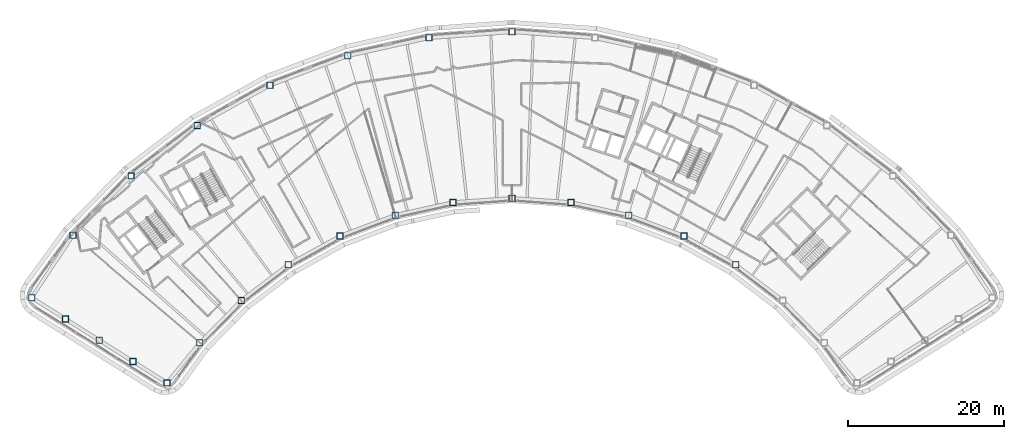
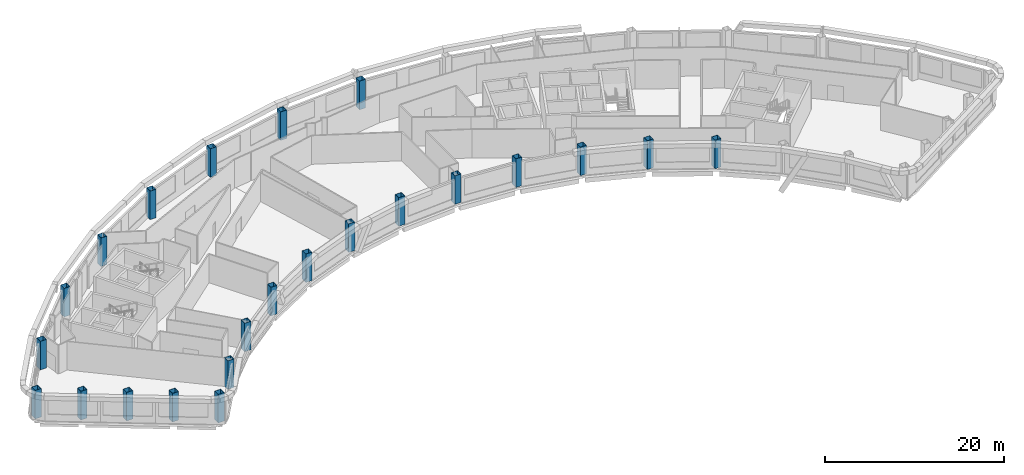
# One storey, part 1 of 13: 23 columns.
"""IFC4 building model written with IfcOpenShell, lengths in metres."""

from ifc_helpers import new_model, si_unit, direction, frame, origin, origin_2d, place, context, subcontext, project, spatial, hollow_rectangle, extrude, material, material_profile, profile_set, type_object, element, save


model = new_model("IFC4")

# Units and contexts
model_context = context("Model", 3, precision=1e-05, world=origin(), true_north=direction((0.0, 1.0)))
body_context = subcontext(model_context, "Body", "Model", "MODEL_VIEW")
ifc_project = project(units=[si_unit("LENGTHUNIT", "METRE"), si_unit("AREAUNIT", "SQUARE_METRE"), si_unit("VOLUMEUNIT", "CUBIC_METRE"), si_unit("PLANEANGLEUNIT", "RADIAN"), si_unit("MASSUNIT", "GRAM", prefix="KILO")], contexts=[model_context])

# Site, building, storey
site_placement = place(None, origin())
site = spatial("IfcSite", under=ifc_project, at=site_placement, CompositionType="ELEMENT")
building_placement = place(site_placement, origin())
building = spatial("IfcBuilding", under=site, at=building_placement, Name="Tuul Gate Civic Tower", CompositionType="ELEMENT")
storey_placement = place(building_placement, frame((0.0, 0.0, 252.60009765625)))
storey = spatial("IfcBuildingStorey", under=building, at=storey_placement, Name="Level 57", CompositionType="ELEMENT", Elevation=252.60009765625)

# Columns
ifc_material = material(Name="Steel S355", Category="steel")
ifc_material_profile = material_profile(ifc_material, hollow_rectangle(XDim=0.800048828125, YDim=0.800048828125, WallThickness=0.031982421875, at=origin_2d()), Name="BOX800x800x32")
ifc_profile_set = profile_set([ifc_material_profile], Name="Steel S355")
column_type = type_object("IfcColumnType", Name="STR-COLUMN-BOX800x800x32", PredefinedType="COLUMN", material=ifc_profile_set)
for number, where, z_axis, x_axis, name in (
    (1, (11.031005859375, 13.47412109375, 0.0), (0.0, 0.0, 1.0), (1.0, 0.0, 0.0), "Column"),
    (2, (0.381103515625, 12.702880859375, 0.0), (0.0, 0.0, 1.0), (1.0, 0.0, 0.0), "Column"),
    (3, (-10.0458984375, 10.405029296875, 0.0), (0.0, 0.0, 1.0), (1.0, 0.0, 0.0), "Column"),
    (4, (-20.032958984375, 6.6279296875, 0.0), (0.0, 0.0, 1.0), (1.0, 0.0, 0.0), "Column"),
    (5, (-29.37109375, 1.451904296875, 0.0), (0.0, 0.0, 1.0), (1.0, 0.0, 0.0), "Column"),
    (6, (-37.866943359375, -5.01708984375, 0.0), (0.0, 0.0, 1.0), (1.0, 0.0, 0.0), "Column"),
    (7, (-45.341064453125, -12.64208984375, 0.0), (0.0, 0.0, 1.0), (1.0, 0.0, 0.0), "Column"),
    (8, (-50.639892578125, -20.654052734375, 0.0), (0.0, 0.0, 1.0), (1.0, 0.0, 0.0), "Column"),
    (9, (-46.298095703125, -23.388916015625, 0.0), (0.0, 0.0, 1.0), (1.0, 0.0, 0.0), "Column"),
    (10, (-41.955078125, -26.123046875, 0.0), (0.0, 0.0, 1.0), (1.0, 0.0, 0.0), "Column"),
    (11, (-37.613037109375, -28.85791015625, 0.0), (0.0, 0.0, 1.0), (1.0, 0.0, 0.0), "Column"),
    (12, (-33.27001953125, -31.592041015625, 0.0), (0.0, 0.0, 1.0), (1.0, 0.0, 0.0), "Column"),
    (13, (-29.050048828125, -26.449951171875, 0.0), (0.0, 0.0, 1.0), (1.0, 0.0, 0.0), "Column"),
    (14, (-23.736083984375, -21.029052734375, 0.0), (0.0, 0.0, 1.0), (1.0, 0.0, 0.0), "Column"),
    (15, (-17.696044921875, -16.429931640625, 0.0), (0.0, 0.0, 1.0), (1.0, 0.0, 0.0), "Column"),
    (16, (-11.055908203125, -12.7490234375, 0.0), (0.0, 0.0, 1.0), (1.0, 0.0, 0.0), "Column"),
    (17, (-3.955078125, -10.06396484375, 0.0), (0.0, 0.0, 1.0), (1.0, 0.0, 0.0), "Column"),
    (18, (3.458984375, -8.429931640625, 0.0), (0.0, 0.0, 1.0), (1.0, 0.0, 0.0), "Column"),
    (19, (11.031005859375, -7.882080078125, 0.0), (0.0, 0.0, 1.0), (1.0, 0.0, 0.0), "Column"),
    (20, (18.60302734375, -8.429931640625, 0.0), (0.0, 0.0, 1.0), (1.0, 0.0, 0.0), "Column"),
    (21, (26.01708984375, -10.06396484375, 0.0), (0.0, 0.0, 1.0), (1.0, 0.0, 0.0), "Column"),
    (22, (33.117919921875, -12.7490234375, 0.0), (0.0, 0.0, 1.0), (1.0, 0.0, 0.0), "Column"),
    (23, (39.757080078125, -16.429931640625, 0.0), (0.0, 0.0, 1.0), (1.0, 0.0, 0.0), "Column"),
):
    element("IfcColumn", number, at=place(storey_placement, frame(where, z_axis=z_axis, x_axis=x_axis)), inside=storey, type_object=column_type, Name=name, PredefinedType="COLUMN", context=body_context, shape_type="SweptSolid", body=[
        extrude(hollow_rectangle(XDim=0.800048828125, YDim=0.800048828125, WallThickness=0.031982421875, at=origin_2d()), origin(), (0.0, 0.0, 1.0), 3.89990234375),
    ])

save(model, "model.ifc")
